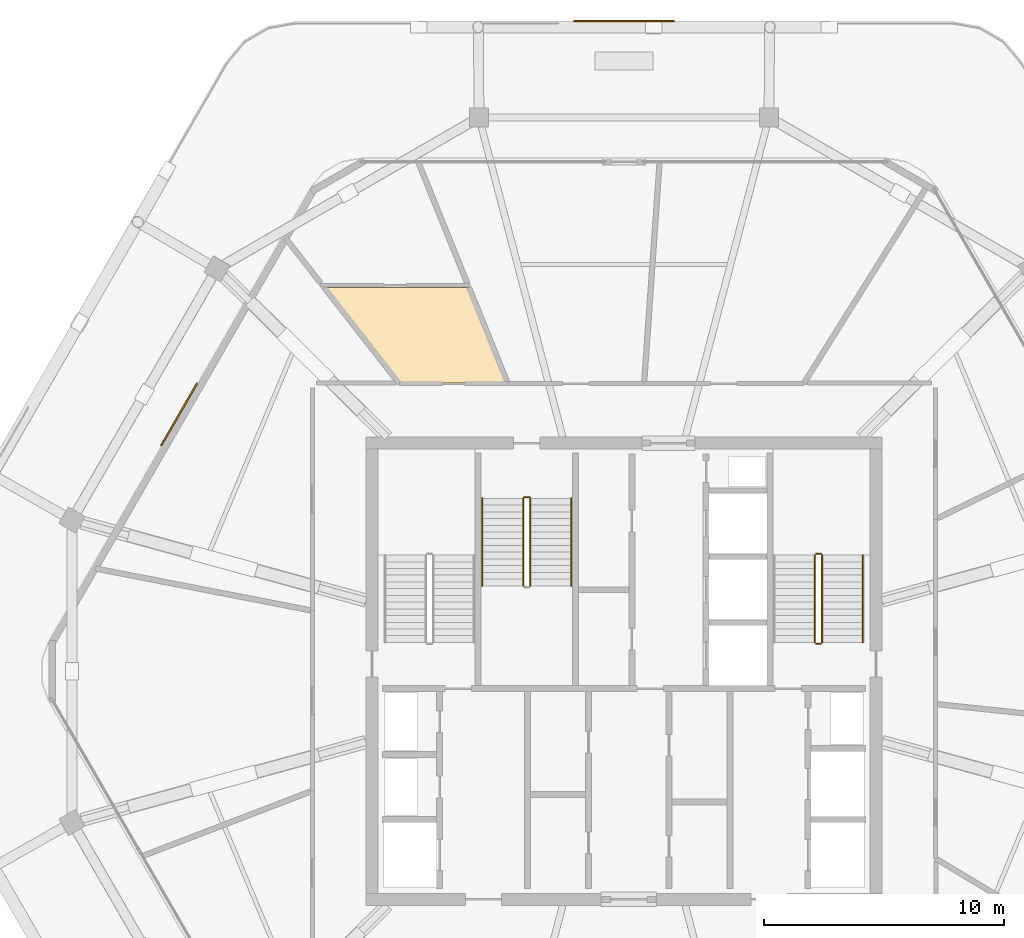
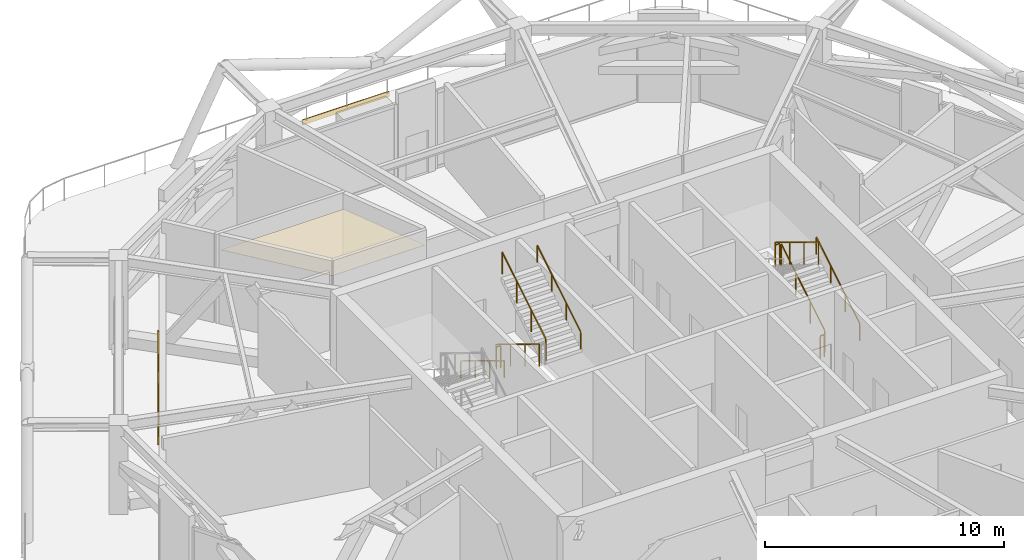
# One storey, part 18 of 19: 10 railings, 2 coverings, 1 shading device.
"""IFC4 building model written with IfcOpenShell, lengths in metres."""

import ifcopenshell
import ifcopenshell.guid

model = None  # the IFC model being written
_history = None  # IfcOwnerHistory: only IFC2X3 demands one
_inside = {}  # id of a spatial element -> (the spatial element, [elements in it])
_under = {}  # id of a project, library or spatial element -> (it, [spatial elements below it])
_declared = {}  # id of a project -> (the project, [libraries it declares])
_typed = {}  # id of a type object -> (the type object, [elements of that type])
_made_of = {}  # id of a material, layer set ... -> (it, [elements and type objects made of it])


def new_model(schema):
    """Start an empty IFC model of exactly this schema.

    Asked for "IFC4X3", IfcOpenShell would pick the latest addendum, in which some entities
    have other attributes; the version numbers below select the first issue.
    IFC2X3 requires an IfcOwnerHistory on every rooted entity: one is made here for all.
    """
    global model, _history
    if schema == "IFC4X3":
        model = ifcopenshell.file(schema_version=(4, 3, 0, 0))
    else:
        model = ifcopenshell.file(schema=schema)
    _inside.clear()
    _under.clear()
    _declared.clear()
    _typed.clear()
    _made_of.clear()
    _history = None
    if model.schema == "IFC2X3":
        org = make("IfcOrganization", Name="unknown")
        user = make(
            "IfcPersonAndOrganization",
            ThePerson=make("IfcPerson", FamilyName="unknown"),
            TheOrganization=org,
        )
        app = make(
            "IfcApplication",
            ApplicationDeveloper=org,
            Version="unknown",
            ApplicationFullName="unknown",
            ApplicationIdentifier="unknown",
        )
        _history = make(
            "IfcOwnerHistory",
            OwningUser=user,
            OwningApplication=app,
            ChangeAction="ADDED",
            CreationDate=0,
        )
    return model


def make(cls, **values):
    """One entity of the class cls with the attributes given. An attribute that is None is left unset."""
    return model.create_entity(
        cls, **{name: value for name, value in values.items() if value is not None}
    )


def rooted(cls, **values):
    """An entity with a GlobalId (a new one), such as an element, a storey or a relation."""
    return make(cls, GlobalId=ifcopenshell.guid.new(), OwnerHistory=_history, **values)


def si_unit(unit_type, name, prefix=None):
    """IfcSIUnit, for example si_unit("LENGTHUNIT", "METRE", prefix="MILLI")."""
    return make("IfcSIUnit", UnitType=unit_type, Prefix=prefix, Name=name)


def assignment(units):
    """IfcUnitAssignment: the units of a project."""
    return None if units is None else make("IfcUnitAssignment", Units=units)


def point(xyz):
    """IfcCartesianPoint."""
    return None if xyz is None else make("IfcCartesianPoint", Coordinates=xyz)


def direction(xyz):
    """IfcDirection."""
    return None if xyz is None else make("IfcDirection", DirectionRatios=xyz)


def frame(location, z_axis=None, x_axis=None):
    """IfcAxis2Placement3D, a coordinate frame: its origin and axes. An axis left out is left unset."""
    return make(
        "IfcAxis2Placement3D",
        Location=point(location),
        Axis=direction(z_axis),
        RefDirection=direction(x_axis),
    )


def frame_2d(location, x_axis=None):
    """IfcAxis2Placement2D, a coordinate frame in the plane: its origin and x axis."""
    return make(
        "IfcAxis2Placement2D", Location=point(location), RefDirection=direction(x_axis)
    )


def origin():
    """The frame at (0, 0, 0) with its axes left unset."""
    return frame((0.0, 0.0, 0.0))


def origin_2d():
    """The frame at (0, 0) in the plane with its x axis left unset."""
    return frame_2d((0.0, 0.0))


def place(relative_to, where):
    """IfcLocalPlacement: puts the frame where relative to a parent placement (None: the world)."""
    return make(
        "IfcLocalPlacement", PlacementRelTo=relative_to, RelativePlacement=where
    )


def context(
    kind, dimensions, precision=None, world=None, true_north=None, identifier=None
):
    """IfcGeometricRepresentationContext, for example the 3D "Model" context."""
    return make(
        "IfcGeometricRepresentationContext",
        ContextIdentifier=identifier,
        ContextType=kind,
        CoordinateSpaceDimension=dimensions,
        Precision=precision,
        WorldCoordinateSystem=world,
        TrueNorth=true_north,
    )


def subcontext(parent, identifier, kind, view, scale=None):
    """IfcGeometricRepresentationSubContext, for example "Body" below "Model"."""
    return make(
        "IfcGeometricRepresentationSubContext",
        ContextIdentifier=identifier,
        ContextType=kind,
        ParentContext=parent,
        TargetScale=scale,
        TargetView=view,
    )


def project(units=None, contexts=None):
    """IfcProject with its units and contexts."""
    return rooted(
        "IfcProject",
        Name="project",
        RepresentationContexts=contexts,
        UnitsInContext=assignment(units),
    )


def spatial(cls, under=None, at=None, **own):
    """A site, building, storey or space (cls), placed at a placement, below another one or the project."""
    s = rooted(cls, ObjectPlacement=at, **own)
    if under is not None:
        _under.setdefault(under.id(), (under, []))[1].append(s)
    return s


def polyline(points):
    """IfcPolyline through the points."""
    return make("IfcPolyline", Points=[point(p) for p in points])


def profile(cls, at=None, kind="AREA", **sizes):
    """A parametric profile (cls). Its sizes go by their IFC names, for example OverallWidth=200.0."""
    return make(cls, ProfileType=kind, Position=at, **sizes)


def rectangle(**sizes):
    """IfcRectangleProfileDef."""
    return profile("IfcRectangleProfileDef", **sizes)


def outline(outer, holes=None, kind="AREA"):
    """IfcArbitraryClosedProfileDef: a profile drawn as a closed curve; with holes, ...WithVoids."""
    if holes is None:
        return make("IfcArbitraryClosedProfileDef", ProfileType=kind, OuterCurve=outer)
    return make(
        "IfcArbitraryProfileDefWithVoids",
        ProfileType=kind,
        OuterCurve=outer,
        InnerCurves=holes,
    )


def extrude(swept, where, along, depth):
    """IfcExtrudedAreaSolid: the profile swept, set in the frame where, extruded along a direction by depth."""
    return make(
        "IfcExtrudedAreaSolid",
        SweptArea=swept,
        Position=where,
        ExtrudedDirection=direction(along),
        Depth=depth,
    )


def shape(context_of_items, identifier, shape_type, items):
    """IfcShapeRepresentation: the items that make up one representation, for example the "Body"."""
    return make(
        "IfcShapeRepresentation",
        ContextOfItems=context_of_items,
        RepresentationIdentifier=identifier,
        RepresentationType=shape_type,
        Items=items,
    )


def material(Name=None, Category=None):
    """IfcMaterial."""
    return make("IfcMaterial", Name=Name, Category=Category)


def layer(
    of_material, thickness, ventilated=None, Name=None, Category=None, Priority=None
):
    """IfcMaterialLayer: one layer of a wall or slab, of a material (None: an air gap)."""
    return make(
        "IfcMaterialLayer",
        Material=of_material,
        LayerThickness=thickness,
        IsVentilated=ventilated,
        Name=Name,
        Category=Category,
        Priority=Priority,
    )


def layer_set(layers, Name=None):
    """IfcMaterialLayerSet."""
    return make("IfcMaterialLayerSet", MaterialLayers=layers, LayerSetName=Name)


def made_of(thing, what):
    """Note that an element or type object is made of a material, layer set ...; save() writes the relation."""
    if what is not None:
        _made_of.setdefault(what.id(), (what, []))[1].append(thing)
    return thing


def type_object(cls, material=None, **own):
    """A type object (cls), such as IfcWallType, which elements share."""
    return made_of(rooted(cls, **own), material)


def element(
    cls,
    number,
    at=None,
    inside=None,
    cuts=None,
    type_object=None,
    material=None,
    context=None,
    identifier="Body",
    shape_type=None,
    held_by="IfcProductDefinitionShape",
    body=None,
    shapes=None,
    **own,
):
    """One element of the class cls, such as IfcWall. Its Tag is "e" and its number.

    at: its placement. inside: the storey or other place that contains it. cuts: it is an
    opening in that element (IfcRelVoidsElement). A single representation is given by context,
    identifier, shape_type and body (its items); several are given by shapes. held_by: the class
    of the entity that holds the representations. save() writes the other relations.
    """
    e = rooted(cls, Tag="e%d" % number, ObjectPlacement=at, **own)
    if body is not None:
        shapes = [shape(context, identifier, shape_type, body)]
    if shapes is not None:
        e.Representation = make(held_by, Representations=shapes)
    if inside is not None:
        _inside.setdefault(inside.id(), (inside, []))[1].append(e)
    if cuts is not None:
        rooted(
            "IfcRelVoidsElement", RelatingBuildingElement=cuts, RelatedOpeningElement=e
        )
    if type_object is not None:
        _typed.setdefault(type_object.id(), (type_object, []))[1].append(e)
    return made_of(e, material)


def aggregate(whole, parts):
    """IfcRelAggregates: a whole, such as a stair, and the parts it consists of."""
    return rooted("IfcRelAggregates", RelatingObject=whole, RelatedObjects=parts)


def save(model, path):
    """Write the relations noted so far, then the file.

    IfcRelAggregates (storeys below a building ...), IfcRelContainedInSpatialStructure (elements
    in a storey), IfcRelDefinesByType, IfcRelAssociatesMaterial and IfcRelDeclares: one each for
    every whole, place, type object, material and project.
    """
    for whole, parts in _under.values():
        aggregate(whole, parts)
    for where, things in _inside.values():
        rooted(
            "IfcRelContainedInSpatialStructure",
            RelatedElements=things,
            RelatingStructure=where,
        )
    for kind, things in _typed.values():
        rooted("IfcRelDefinesByType", RelatedObjects=things, RelatingType=kind)
    for what, things in _made_of.values():
        rooted("IfcRelAssociatesMaterial", RelatedObjects=things, RelatingMaterial=what)
    for by, libraries in _declared.values():
        rooted("IfcRelDeclares", RelatingContext=by, RelatedDefinitions=libraries)
    model.write(path)


model = new_model("IFC4")

# Units and contexts
model_context = context("Model", 3, precision=1e-05, world=origin(), true_north=direction((0.0, 1.0)))
body_context = subcontext(model_context, "Body", "Model", "MODEL_VIEW")
ifc_project = project(units=[si_unit("LENGTHUNIT", "METRE"), si_unit("AREAUNIT", "SQUARE_METRE"), si_unit("VOLUMEUNIT", "CUBIC_METRE"), si_unit("PLANEANGLEUNIT", "RADIAN"), si_unit("MASSUNIT", "GRAM", prefix="KILO")], contexts=[model_context])

# Site, building, storey
site_placement = place(None, origin())
site = spatial("IfcSite", under=ifc_project, at=site_placement, CompositionType="ELEMENT")
building_placement = place(site_placement, origin())
building = spatial("IfcBuilding", under=site, at=building_placement, Name="Zuhravey Tower", CompositionType="ELEMENT")
storey_placement = place(building_placement, frame((0.0, 0.0, 303.39990234375)))
storey = spatial("IfcBuildingStorey", under=building, at=storey_placement, Name="L77", CompositionType="ELEMENT", Elevation=303.39990234375)

# Shading device
ifc_material_1 = material(Name="Bronze-anodised perforated aluminium", Category="aluminium")
ifc_layer_1 = layer(ifc_material_1, 0.06005859375)
ifc_layer_set_1 = layer_set([ifc_layer_1], Name="Bronze-anodised perforated aluminium")
shading_device_type = type_object("IfcShadingDeviceType", Name="Girih Mashrabiya Solar Screen", PredefinedType="USERDEFINED", material=ifc_layer_set_1)
shading_device_placement = place(storey_placement, frame((17.47216796875, 42.697021484375, 0.10009765625), z_axis=(0.0, 0.0, 1.0), x_axis=(0.5, 0.866025403784, 0.0)))
element("IfcShadingDevice", 1, at=shading_device_placement, inside=storey, type_object=shading_device_type, Name="L77 Face 3 Girih Solar Screen SCR1", ObjectType="SCREEN", PredefinedType="USERDEFINED", context=body_context, shape_type="SweptSolid", body=[
    extrude(rectangle(XDim=3.0, YDim=0.06005859375, at=origin_2d()), origin(), (0.0, 0.0, 1.0), 3.77001953125),
])

# Coverings
ifc_material_2 = material(Name="Moisture-resistant gypsum ceiling board")
ifc_layer_2 = layer(ifc_material_2, 0.02001953125)
ifc_layer_set_2 = layer_set([ifc_layer_2], Name="Moisture-resistant gypsum ceiling board")
covering_type_1 = type_object("IfcCoveringType", Name="Moisture-Resistant Ceiling", PredefinedType="CEILING", material=ifc_layer_set_2)
covering_1_placement = place(storey_placement, frame((0.0, 0.0, 3.690185546875)))
element("IfcCovering", 2, at=covering_1_placement, inside=storey, type_object=covering_type_1, Name="L77 Wet-Room Ceiling CLG2", PredefinedType="CEILING", context=body_context, shape_type="SweptSolid", body=[
    extrude(outline(polyline([(31.130126953125, 44.0), (26.64990234375, 44.0), (23.540283203125, 47.97998046875), (29.522216796875, 47.97998046875), (31.130126953125, 44.0)])), origin(), (0.0, 0.0, 1.0), 0.02001953125),
])
ifc_material_3 = material(Name="Architectural GRC cladding panel")
ifc_layer_3 = layer(ifc_material_3, 0.048095703125)
ifc_layer_set_3 = layer_set([ifc_layer_3], Name="Architectural GRC cladding panel")
covering_type_2 = type_object("IfcCoveringType", Name="Precast Girih Spandrel Cladding CLD2", PredefinedType="CLADDING", material=ifc_layer_set_3)
covering_2_placement = place(storey_placement, frame((36.0, 59.088134765625, -0.259765625), z_axis=(0.0, 0.0, 1.0), x_axis=(1.0, 0.0, 0.0)))
element("IfcCovering", 3, at=covering_2_placement, inside=storey, type_object=covering_type_2, Name="L77 Face 2 Girih Spandrel Cladding CLD2", PredefinedType="CLADDING", context=body_context, shape_type="SweptSolid", body=[
    extrude(rectangle(XDim=4.199951171875, YDim=0.048095703125, at=origin_2d()), origin(), (0.0, 0.0, 1.0), 0.260009765625),
])

# Railings
ifc_material_4 = material(Name="Brushed stainless steel", Category="steel")
railing_type_1 = type_object("IfcRailingType", Name="Stair Wall Handrail 900", PredefinedType="HANDRAIL", material=ifc_material_4)
railing_1_placement = place(storey_placement, frame((45.949951171875, 33.199951171875, 0.171630859375)))
element("IfcRailing", 4, at=railing_1_placement, inside=storey, type_object=railing_type_1, Name="L77 ST2 stair handrail 1", PredefinedType="HANDRAIL", context=body_context, shape_type="SweptSolid", body=[
    extrude(rectangle(XDim=0.048095703125, YDim=0.048095703125, at=origin_2d()), frame((0.0, 0.001708984375, 0.876953125), z_axis=(0.0, 0.852865859571, 0.52213008492), x_axis=(-1.0, 0.0, 0.0)), (0.0, 0.0, 1.0), 4.26416015625),
    extrude(rectangle(XDim=0.0419921875, YDim=0.0419921875, at=origin_2d()), origin(), (0.0, 0.0, 1.0), 0.849853515625),
    extrude(rectangle(XDim=0.0419921875, YDim=0.0419921875, at=origin_2d()), frame((0.0, 1.21337890625, 0.742919921875)), (0.0, 0.0, 1.0), 0.849853515625),
    extrude(rectangle(XDim=0.0419921875, YDim=0.0419921875, at=origin_2d()), frame((0.0, 2.4267578125, 1.485595703125)), (0.0, 0.0, 1.0), 0.849853515625),
    extrude(rectangle(XDim=0.0419921875, YDim=0.0419921875, at=origin_2d()), frame((0.0, 3.64013671875, 2.228515625)), (0.0, 0.0, 1.0), 0.849853515625),
])
railing_2_placement = place(storey_placement, frame((30.10009765625, 39.199951171875, 0.171630859375)))
element("IfcRailing", 5, at=railing_2_placement, inside=storey, type_object=railing_type_1, Name="L77 ST3 stair handrail 1", PredefinedType="HANDRAIL", context=body_context, shape_type="SweptSolid", body=[
    extrude(rectangle(XDim=0.048095703125, YDim=0.048095703125, at=origin_2d()), frame((0.0, -0.001708984375, 0.876953125), z_axis=(0.0, -0.852850264322, 0.5221555579), x_axis=(1.0, 0.0, 0.0)), (0.0, 0.0, 1.0), 4.263916015625),
    extrude(rectangle(XDim=0.0419921875, YDim=0.0419921875, at=origin_2d()), origin(), (0.0, 0.0, 1.0), 0.849853515625),
    extrude(rectangle(XDim=0.0419921875, YDim=0.0419921875, at=origin_2d()), frame((0.0, -1.21337890625, 0.742919921875)), (0.0, 0.0, 1.0), 0.849853515625),
    extrude(rectangle(XDim=0.0419921875, YDim=0.0419921875, at=origin_2d()), frame((0.0, -2.426513671875, 1.485595703125)), (0.0, 0.0, 1.0), 0.849853515625),
    extrude(rectangle(XDim=0.0419921875, YDim=0.0419921875, at=origin_2d()), frame((0.0, -3.639892578125, 2.228515625)), (0.0, 0.0, 1.0), 0.849853515625),
])
railing_3_placement = place(storey_placement, frame((33.800048828125, 35.56005859375, 2.571533203125)))
element("IfcRailing", 6, at=railing_3_placement, inside=storey, type_object=railing_type_1, Name="L77 ST3 stair handrail 2", PredefinedType="HANDRAIL", context=body_context, shape_type="SweptSolid", body=[
    extrude(rectangle(XDim=0.048095703125, YDim=0.048095703125, at=origin_2d()), frame((0.0, 0.001708984375, 0.876953125), z_axis=(0.0, 0.852850264322, 0.5221555579), x_axis=(-1.0, 0.0, 0.0)), (0.0, 0.0, 1.0), 4.263916015625),
    extrude(rectangle(XDim=0.0419921875, YDim=0.0419921875, at=origin_2d()), origin(), (0.0, 0.0, 1.0), 0.849853515625),
    extrude(rectangle(XDim=0.0419921875, YDim=0.0419921875, at=origin_2d()), frame((0.0, 1.21337890625, 0.742919921875)), (0.0, 0.0, 1.0), 0.849853515625),
    extrude(rectangle(XDim=0.0419921875, YDim=0.0419921875, at=origin_2d()), frame((0.0, 2.426513671875, 1.485595703125)), (0.0, 0.0, 1.0), 0.849853515625),
    extrude(rectangle(XDim=0.0419921875, YDim=0.0419921875, at=origin_2d()), frame((0.0, 3.639892578125, 2.228515625)), (0.0, 0.0, 1.0), 0.849853515625),
])
ifc_material_5 = material(Name="Painted tubular steel", Category="steel")
railing_type_2 = type_object("IfcRailingType", Name="Stair Well Guardrail 1150", PredefinedType="GUARDRAIL", material=ifc_material_5)
railing_4_placement = place(storey_placement, frame((44.25, 33.199951171875, 0.171630859375)))
element("IfcRailing", 7, at=railing_4_placement, inside=storey, type_object=railing_type_2, Name="L77 ST2 stair guard 1", PredefinedType="GUARDRAIL", context=body_context, shape_type="SweptSolid", body=[
    extrude(rectangle(XDim=0.048095703125, YDim=0.048095703125, at=origin_2d()), frame((0.0, 0.001708984375, 1.126953125), z_axis=(0.0, 0.852865859571, 0.52213008492), x_axis=(-1.0, 0.0, 0.0)), (0.0, 0.0, 1.0), 4.26416015625),
    extrude(rectangle(XDim=0.0419921875, YDim=0.0419921875, at=origin_2d()), origin(), (0.0, 0.0, 1.0), 1.099853515625),
    extrude(rectangle(XDim=0.0419921875, YDim=0.0419921875, at=origin_2d()), frame((0.0, 1.21337890625, 0.742919921875)), (0.0, 0.0, 1.0), 1.099853515625),
    extrude(rectangle(XDim=0.0419921875, YDim=0.0419921875, at=origin_2d()), frame((0.0, 2.4267578125, 1.485595703125)), (0.0, 0.0, 1.0), 1.099853515625),
    extrude(rectangle(XDim=0.0419921875, YDim=0.0419921875, at=origin_2d()), frame((0.0, 3.64013671875, 2.228515625)), (0.0, 0.0, 1.0), 1.099853515625),
])
railing_5_placement = place(storey_placement, frame((44.199951171875, 36.889892578125, 2.400146484375)))
element("IfcRailing", 8, at=railing_5_placement, inside=storey, type_object=railing_type_2, Name="L77 ST2 stair guard 2", PredefinedType="GUARDRAIL", context=body_context, shape_type="SweptSolid", body=[
    extrude(rectangle(XDim=0.048095703125, YDim=0.048095703125, at=origin_2d()), frame((-0.001953125, 0.0, 1.1259765625), z_axis=(-1.0, 0.0, 0.0), x_axis=(0.0, -1.0, 0.0)), (0.0, 0.0, 1.0), 0.196044921875),
    extrude(rectangle(XDim=0.0419921875, YDim=0.0419921875, at=origin_2d()), origin(), (0.0, 0.0, 1.0), 1.099853515625),
    extrude(rectangle(XDim=0.0419921875, YDim=0.0419921875, at=origin_2d()), frame((-0.199951171875, 0.0, 0.0)), (0.0, 0.0, 1.0), 1.099853515625),
])
railing_6_placement = place(storey_placement, frame((43.949951171875, 36.840087890625, 2.571533203125)))
element("IfcRailing", 9, at=railing_6_placement, inside=storey, type_object=railing_type_2, Name="L77 ST2 stair guard 3", PredefinedType="GUARDRAIL", context=body_context, shape_type="SweptSolid", body=[
    extrude(rectangle(XDim=0.048095703125, YDim=0.048095703125, at=origin_2d()), frame((0.0, -0.001708984375, 1.126953125), z_axis=(0.0, -0.852865859571, 0.52213008492), x_axis=(1.0, 0.0, 0.0)), (0.0, 0.0, 1.0), 4.26416015625),
    extrude(rectangle(XDim=0.0419921875, YDim=0.0419921875, at=origin_2d()), origin(), (0.0, 0.0, 1.0), 1.099853515625),
    extrude(rectangle(XDim=0.0419921875, YDim=0.0419921875, at=origin_2d()), frame((0.0, -1.21337890625, 0.742919921875)), (0.0, 0.0, 1.0), 1.099853515625),
    extrude(rectangle(XDim=0.0419921875, YDim=0.0419921875, at=origin_2d()), frame((0.0, -2.4267578125, 1.485595703125)), (0.0, 0.0, 1.0), 1.099853515625),
    extrude(rectangle(XDim=0.0419921875, YDim=0.0419921875, at=origin_2d()), frame((0.0, -3.64013671875, 2.228515625)), (0.0, 0.0, 1.0), 1.099853515625),
])
railing_7_placement = place(storey_placement, frame((44.199951171875, 33.14990234375, 0.0)))
element("IfcRailing", 10, at=railing_7_placement, inside=storey, type_object=railing_type_2, Name="L77 ST2 stair guard 4", PredefinedType="GUARDRAIL", context=body_context, shape_type="SweptSolid", body=[
    extrude(rectangle(XDim=0.048095703125, YDim=0.048095703125, at=origin_2d()), frame((-0.001953125, 0.0, 1.1259765625), z_axis=(-1.0, 0.0, 0.0), x_axis=(0.0, -1.0, 0.0)), (0.0, 0.0, 1.0), 0.196044921875),
    extrude(rectangle(XDim=0.0419921875, YDim=0.0419921875, at=origin_2d()), origin(), (0.0, 0.0, 1.0), 1.099853515625),
    extrude(rectangle(XDim=0.0419921875, YDim=0.0419921875, at=origin_2d()), frame((-0.199951171875, 0.0, 0.0)), (0.0, 0.0, 1.0), 1.099853515625),
])
railing_8_placement = place(storey_placement, frame((31.800048828125, 39.199951171875, 0.171630859375)))
element("IfcRailing", 11, at=railing_8_placement, inside=storey, type_object=railing_type_2, Name="L77 ST3 stair guard 1", PredefinedType="GUARDRAIL", context=body_context, shape_type="SweptSolid", body=[
    extrude(rectangle(XDim=0.048095703125, YDim=0.048095703125, at=origin_2d()), frame((0.0, -0.001708984375, 1.126953125), z_axis=(0.0, -0.852850264322, 0.5221555579), x_axis=(1.0, 0.0, 0.0)), (0.0, 0.0, 1.0), 4.263916015625),
    extrude(rectangle(XDim=0.0419921875, YDim=0.0419921875, at=origin_2d()), origin(), (0.0, 0.0, 1.0), 1.099853515625),
    extrude(rectangle(XDim=0.0419921875, YDim=0.0419921875, at=origin_2d()), frame((0.0, -1.21337890625, 0.742919921875)), (0.0, 0.0, 1.0), 1.099853515625),
    extrude(rectangle(XDim=0.0419921875, YDim=0.0419921875, at=origin_2d()), frame((0.0, -2.426513671875, 1.485595703125)), (0.0, 0.0, 1.0), 1.099853515625),
    extrude(rectangle(XDim=0.0419921875, YDim=0.0419921875, at=origin_2d()), frame((0.0, -3.639892578125, 2.228515625)), (0.0, 0.0, 1.0), 1.099853515625),
])
railing_9_placement = place(storey_placement, frame((32.10009765625, 35.56005859375, 2.571533203125)))
element("IfcRailing", 12, at=railing_9_placement, inside=storey, type_object=railing_type_2, Name="L77 ST3 stair guard 3", PredefinedType="GUARDRAIL", context=body_context, shape_type="SweptSolid", body=[
    extrude(rectangle(XDim=0.048095703125, YDim=0.048095703125, at=origin_2d()), frame((0.0, 0.001708984375, 1.126953125), z_axis=(0.0, 0.852850264322, 0.5221555579), x_axis=(-1.0, 0.0, 0.0)), (0.0, 0.0, 1.0), 4.263916015625),
    extrude(rectangle(XDim=0.0419921875, YDim=0.0419921875, at=origin_2d()), origin(), (0.0, 0.0, 1.0), 1.099853515625),
    extrude(rectangle(XDim=0.0419921875, YDim=0.0419921875, at=origin_2d()), frame((0.0, 1.21337890625, 0.742919921875)), (0.0, 0.0, 1.0), 1.099853515625),
    extrude(rectangle(XDim=0.0419921875, YDim=0.0419921875, at=origin_2d()), frame((0.0, 2.426513671875, 1.485595703125)), (0.0, 0.0, 1.0), 1.099853515625),
    extrude(rectangle(XDim=0.0419921875, YDim=0.0419921875, at=origin_2d()), frame((0.0, 3.639892578125, 2.228515625)), (0.0, 0.0, 1.0), 1.099853515625),
])
railing_10_placement = place(storey_placement, frame((31.85009765625, 39.25, 0.0)))
element("IfcRailing", 13, at=railing_10_placement, inside=storey, type_object=railing_type_2, Name="L77 ST3 stair guard 4", PredefinedType="GUARDRAIL", context=body_context, shape_type="SweptSolid", body=[
    extrude(rectangle(XDim=0.048095703125, YDim=0.048095703125, at=origin_2d()), frame((0.001953125, 0.0, 1.1259765625), z_axis=(1.0, 0.0, 0.0), x_axis=(0.0, 1.0, 0.0)), (0.0, 0.0, 1.0), 0.196044921875),
    extrude(rectangle(XDim=0.0419921875, YDim=0.0419921875, at=origin_2d()), origin(), (0.0, 0.0, 1.0), 1.099853515625),
    extrude(rectangle(XDim=0.0419921875, YDim=0.0419921875, at=origin_2d()), frame((0.199951171875, 0.0, 0.0)), (0.0, 0.0, 1.0), 1.099853515625),
])

save(model, "model.ifc")
